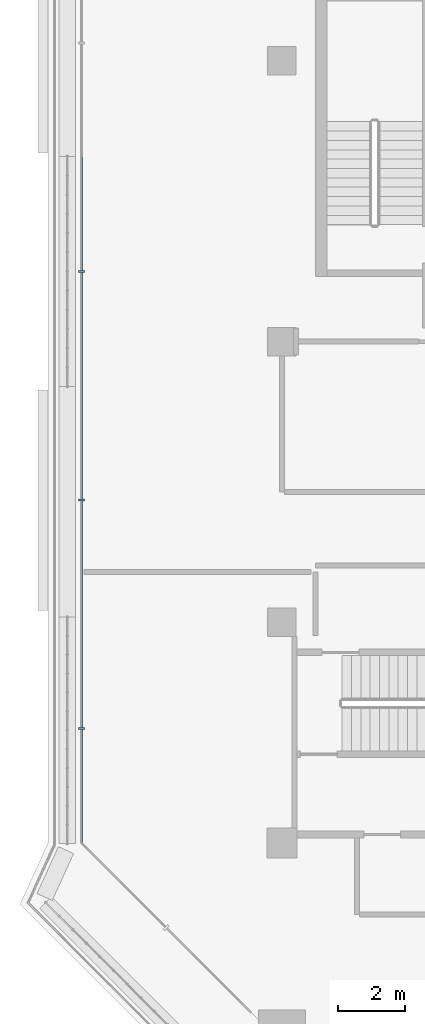
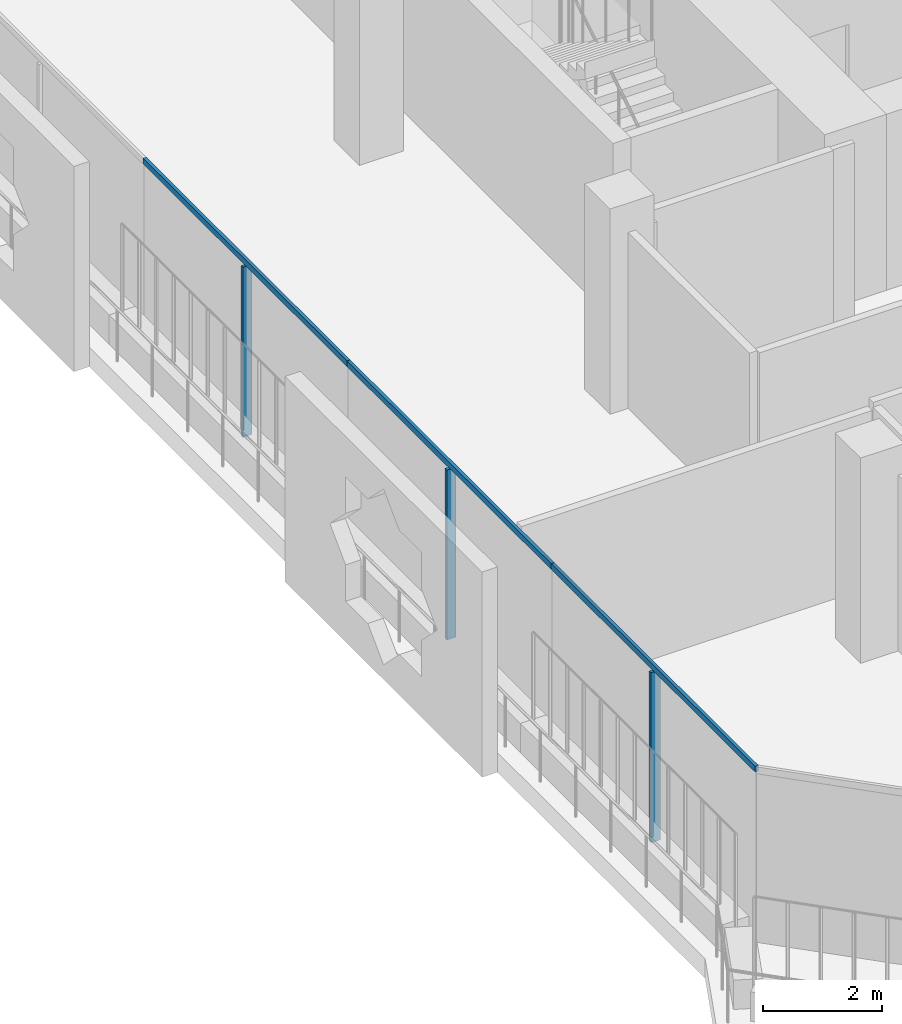
# One storey, part 3 of 23: 6 members, 1 element without a shape of its own.
"""IFC4 building model written with IfcOpenShell, lengths in metres."""

from ifc_helpers import new_model, si_unit, direction, frame, origin, origin_2d, place, context, subcontext, project, spatial, rectangle, extrude, material, layer, layer_set, material_profile, profile_set, type_object, element, aggregate, save


model = new_model("IFC4")

# Units and contexts
model_context = context("Model", 3, precision=1e-05, world=origin(), true_north=direction((0.0, 1.0)))
body_context = subcontext(model_context, "Body", "Model", "MODEL_VIEW")
ifc_project = project(units=[si_unit("LENGTHUNIT", "METRE"), si_unit("AREAUNIT", "SQUARE_METRE"), si_unit("VOLUMEUNIT", "CUBIC_METRE"), si_unit("PLANEANGLEUNIT", "RADIAN"), si_unit("MASSUNIT", "GRAM", prefix="KILO")], contexts=[model_context])

# Site, building, storey
site_placement = place(None, origin())
site = spatial("IfcSite", under=ifc_project, at=site_placement, CompositionType="ELEMENT")
building_placement = place(site_placement, origin())
building = spatial("IfcBuilding", under=site, at=building_placement, Name="Kawkab Arch Medical Tower", CompositionType="ELEMENT")
storey_placement = place(building_placement, frame((0.0, 0.0, 226.39990234375)))
storey = spatial("IfcBuildingStorey", under=building, at=storey_placement, Name="L52", CompositionType="ELEMENT", Elevation=226.39990234375)

# Curtain wall, members
ifc_material_1 = material(Name="Bronze anodised aluminium curtain wall frame", Category="aluminium")
ifc_layer = layer(ifc_material_1, 0.159912109375)
ifc_layer_set = layer_set([ifc_layer], Name="Bronze anodised aluminium curtain wall frame")
curtain_wall_type = type_object("IfcCurtainWallType", Name="CW1 ward curtain wall", PredefinedType="NOTDEFINED", material=ifc_layer_set)
curtain_wall_placement = place(storey_placement, origin())
curtain_wall = element("IfcCurtainWall", 1, at=curtain_wall_placement, inside=storey, type_object=curtain_wall_type, Name="CW1 Ward curtain wall R11", PredefinedType="NOTDEFINED")
ifc_material_2 = material(Name="Bronze anodised aluminium curtain wall frame", Category="aluminium")
ifc_material_profile_1 = material_profile(ifc_material_2, rectangle(XDim=0.179931640625, YDim=0.06005859375, at=origin_2d()), Name="AL 60x180")
ifc_profile_set_1 = profile_set([ifc_material_profile_1], Name="Bronze anodised aluminium curtain wall frame")
member_type_1 = type_object("IfcMemberType", Name="CW1 mullion 60 x 180", PredefinedType="MULLION", material=ifc_profile_set_1)
member_1_placement = place(storey_placement, frame((-6.0, -23.10009765625, 0.0), z_axis=(0.0, 0.0, 1.0), x_axis=(1.0, 0.0, 0.0)))
member_1 = element("IfcMember", 2, at=member_1_placement, type_object=member_type_1, Name="CW1 mullion 3.1", PredefinedType="MULLION", context=body_context, shape_type="SweptSolid", body=[
    extrude(rectangle(XDim=0.179931640625, YDim=0.06005859375, at=origin_2d()), origin(), (0.0, 0.0, 1.0), 3.47998046875),
])
member_2_placement = place(storey_placement, frame((-6.0, -29.93994140625, 0.0), z_axis=(0.0, 0.0, 1.0), x_axis=(1.0, 0.0, 0.0)))
member_2 = element("IfcMember", 3, at=member_2_placement, type_object=member_type_1, Name="CW1 mullion 4.1", PredefinedType="MULLION", context=body_context, shape_type="SweptSolid", body=[
    extrude(rectangle(XDim=0.179931640625, YDim=0.06005859375, at=origin_2d()), origin(), (0.0, 0.0, 1.0), 3.47998046875),
])
member_3_placement = place(storey_placement, frame((-6.0, -36.780029296875, 0.0), z_axis=(0.0, 0.0, 1.0), x_axis=(1.0, 0.0, 0.0)))
member_3 = element("IfcMember", 4, at=member_3_placement, type_object=member_type_1, Name="CW1 mullion 5.1", PredefinedType="MULLION", context=body_context, shape_type="SweptSolid", body=[
    extrude(rectangle(XDim=0.179931640625, YDim=0.06005859375, at=origin_2d()), origin(), (0.0, 0.0, 1.0), 3.47998046875),
])
ifc_material_3 = material(Name="Bronze anodised aluminium curtain wall frame", Category="aluminium")
ifc_material_profile_2 = material_profile(ifc_material_3, rectangle(XDim=0.06005859375, YDim=0.1201171875, at=origin_2d()), Name="AL 60x120")
ifc_profile_set_2 = profile_set([ifc_material_profile_2], Name="Bronze anodised aluminium curtain wall frame")
member_type_2 = type_object("IfcMemberType", Name="CW1 transom 120 x 60", PredefinedType="USERDEFINED", material=ifc_profile_set_2)
member_4_placement = place(storey_placement, frame((-6.0, -19.679931640625, 3.5400390625), z_axis=(0.0, -1.0, 0.0), x_axis=(1.0, 0.0, 0.0)))
member_4 = element("IfcMember", 5, at=member_4_placement, type_object=member_type_2, Name="CW1 transom 3", ObjectType="TRANSOM", PredefinedType="USERDEFINED", context=body_context, shape_type="SweptSolid", body=[
    extrude(rectangle(XDim=0.06005859375, YDim=0.1201171875, at=origin_2d()), origin(), (0.0, 0.0, 1.0), 6.840087890625),
])
member_5_placement = place(storey_placement, frame((-6.0, -26.52001953125, 3.5400390625), z_axis=(0.0, -1.0, 0.0), x_axis=(1.0, 0.0, 0.0)))
member_5 = element("IfcMember", 6, at=member_5_placement, type_object=member_type_2, Name="CW1 transom 4", ObjectType="TRANSOM", PredefinedType="USERDEFINED", context=body_context, shape_type="SweptSolid", body=[
    extrude(rectangle(XDim=0.06005859375, YDim=0.1201171875, at=origin_2d()), origin(), (0.0, 0.0, 1.0), 6.840087890625),
])
member_6_placement = place(storey_placement, frame((-6.0, -33.360107421875, 3.5400390625), z_axis=(0.0, -1.0, 0.0), x_axis=(1.0, 0.0, 0.0)))
member_6 = element("IfcMember", 7, at=member_6_placement, type_object=member_type_2, Name="CW1 transom 5", ObjectType="TRANSOM", PredefinedType="USERDEFINED", context=body_context, shape_type="SweptSolid", body=[
    extrude(rectangle(XDim=0.06005859375, YDim=0.1201171875, at=origin_2d()), origin(), (0.0, 0.0, 1.0), 6.83984375),
])
aggregate(curtain_wall, [member_4, member_1, member_5, member_2, member_6, member_3])

save(model, "model.ifc")
